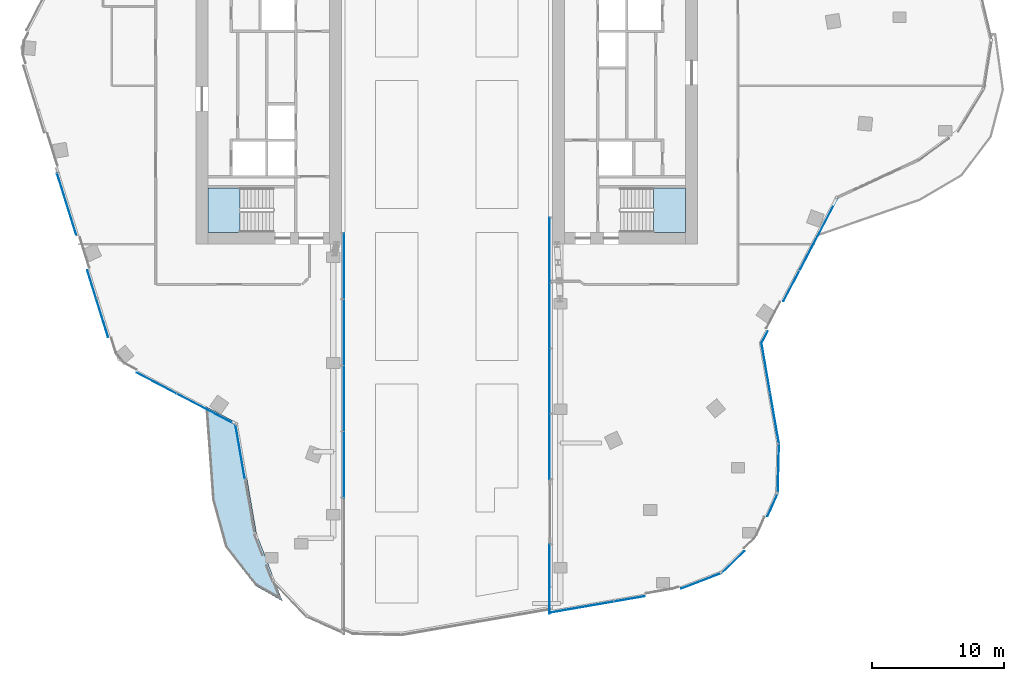
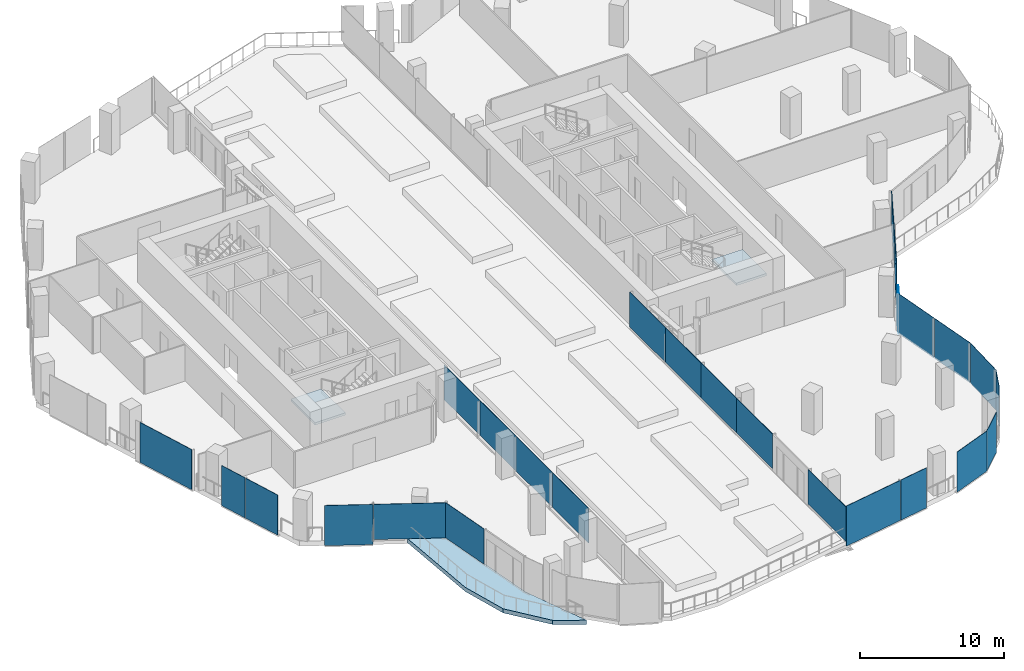
# One storey, part 13 of 26: 26 plates, 3 slabs, 14 elements without a shape of their own.
"""IFC4 building model written with IfcOpenShell, lengths in metres."""

from ifc_helpers import new_model, si_unit, direction, frame, origin, origin_2d, place, context, subcontext, project, spatial, polyline, rectangle, outline, extrude, material, layer, layer_set, type_object, element, aggregate, save


model = new_model("IFC4")

# Units and contexts
model_context = context("Model", 3, precision=1e-05, world=origin(), true_north=direction((0.0, 1.0)))
body_context = subcontext(model_context, "Body", "Model", "MODEL_VIEW")
ifc_project = project(units=[si_unit("LENGTHUNIT", "METRE"), si_unit("AREAUNIT", "SQUARE_METRE"), si_unit("VOLUMEUNIT", "CUBIC_METRE"), si_unit("PLANEANGLEUNIT", "RADIAN"), si_unit("MASSUNIT", "GRAM", prefix="KILO")], contexts=[model_context])

# Site, building, storey
site_placement = place(None, origin())
site = spatial("IfcSite", under=ifc_project, at=site_placement, CompositionType="ELEMENT")
building_placement = place(site_placement, origin())
building = spatial("IfcBuilding", under=site, at=building_placement, Name="Orlundy Tower", CompositionType="ELEMENT")
storey_placement = place(building_placement, frame((0.0, 0.0, 253.5)))
storey = spatial("IfcBuildingStorey", under=building, at=storey_placement, Name="L67", CompositionType="ELEMENT", Elevation=253.5)

# Curtain wall, plates
ifc_material_1 = material(Name="Aluminium bronze anodised", Category="aluminium")
curtain_wall_type = type_object("IfcCurtainWallType", Name="CW1 wall", PredefinedType="NOTDEFINED", material=ifc_material_1)
curtain_wall_1_placement = place(storey_placement, origin())
curtain_wall_1 = element("IfcCurtainWall", 1, at=curtain_wall_1_placement, inside=storey, type_object=curtain_wall_type, Name="CW1 run 00", PredefinedType="NOTDEFINED")
ifc_material_2 = material(Name="Tinted glass", Category="glass")
ifc_layer_1 = layer(ifc_material_2, 0.031982421875)
ifc_layer_set_1 = layer_set([ifc_layer_1], Name="CW1 glass panel 32")
plate_type_1 = type_object("IfcPlateType", Name="CW1 glass panel 32", PredefinedType="CURTAIN_PANEL", material=ifc_layer_set_1)
plate_1_placement = place(storey_placement, frame((-18.236328125, -24.4970703125, 0.1201171875), z_axis=(0.0, 0.0, 1.0), x_axis=(-0.885665125804, 0.464324546988, 0.0)))
plate_1 = element("IfcPlate", 2, at=plate_1_placement, type_object=plate_type_1, Name="CW1 panel", PredefinedType="CURTAIN_PANEL", context=body_context, shape_type="SweptSolid", body=[
    extrude(rectangle(XDim=5.01220703125, YDim=0.031982421875, at=origin_2d()), origin(), (0.0, 0.0, 1.0), 2.97998046875),
])
plate_2_placement = place(storey_placement, frame((-21.996337890625, -22.52587890625, -0.300048828125), z_axis=(0.0, 0.0, 1.0), x_axis=(-0.885665125804, 0.464324546988, 0.0)))
plate_2 = element("IfcPlate", 3, at=plate_2_placement, type_object=plate_type_1, Name="CW1 panel", PredefinedType="CURTAIN_PANEL", context=body_context, shape_type="SweptSolid", body=[
    extrude(rectangle(XDim=3.37841796875, YDim=0.031982421875, at=origin_2d()), origin(), (0.0, 0.0, 1.0), 3.39990234375),
])
aggregate(curtain_wall_1, [plate_1, plate_2])

curtain_wall_2_placement = place(storey_placement, origin())
curtain_wall_2 = element("IfcCurtainWall", 4, at=curtain_wall_2_placement, inside=storey, type_object=curtain_wall_type, Name="CW1 run 01", PredefinedType="NOTDEFINED")
plate_3_placement = place(storey_placement, frame((-26.11279296875, -17.5771484375, -0.300048828125), z_axis=(0.0, 0.0, 1.0), x_axis=(-0.297954226643, 0.954580158408, 0.0)))
plate_3 = element("IfcPlate", 5, at=plate_3_placement, type_object=plate_type_1, Name="CW1 panel", PredefinedType="CURTAIN_PANEL", context=body_context, shape_type="SweptSolid", body=[
    extrude(rectangle(XDim=3.036376953125, YDim=0.031982421875, at=origin_2d()), origin(), (0.0, 0.0, 1.0), 3.39990234375),
])
plate_4_placement = place(storey_placement, frame((-26.90771484375, -15.030029296875, -0.300048828125), z_axis=(0.0, 0.0, 1.0), x_axis=(-0.297954226643, 0.954580158408, 0.0)))
plate_4 = element("IfcPlate", 6, at=plate_4_placement, type_object=plate_type_1, Name="CW1 panel", PredefinedType="CURTAIN_PANEL", context=body_context, shape_type="SweptSolid", body=[
    extrude(rectangle(XDim=2.200439453125, YDim=0.031982421875, at=origin_2d()), origin(), (0.0, 0.0, 1.0), 3.39990234375),
])
plate_5_placement = place(storey_placement, frame((-28.801513671875, -8.96337890625, -0.300048828125), z_axis=(0.0, 0.0, 1.0), x_axis=(-0.297954226643, 0.954580158408, 0.0)))
plate_5 = element("IfcPlate", 7, at=plate_5_placement, type_object=plate_type_1, Name="CW1 panel", PredefinedType="CURTAIN_PANEL", context=body_context, shape_type="SweptSolid", body=[
    extrude(rectangle(XDim=4.87109375, YDim=0.031982421875, at=origin_2d()), origin(), (0.0, 0.0, 1.0), 3.39990234375),
])
aggregate(curtain_wall_2, [plate_3, plate_4, plate_5])

# Curtain wall, plate
curtain_wall_3_placement = place(storey_placement, origin())
curtain_wall_3 = element("IfcCurtainWall", 8, at=curtain_wall_3_placement, inside=storey, type_object=curtain_wall_type, Name="CW1 run 08", PredefinedType="NOTDEFINED")
plate_6_placement = place(storey_placement, frame((-15.66162109375, -27.710205078125, 0.1201171875), z_axis=(0.0, 0.0, 1.0), x_axis=(-0.170762449807, 0.985312227538, 0.0)))
plate_6 = element("IfcPlate", 9, at=plate_6_placement, type_object=plate_type_1, Name="CW1 panel", PredefinedType="CURTAIN_PANEL", context=body_context, shape_type="SweptSolid", body=[
    extrude(rectangle(XDim=4.160400390625, YDim=0.031982421875, at=origin_2d()), origin(), (0.0, 0.0, 1.0), 2.97998046875),
])
aggregate(curtain_wall_3, [plate_6])

# Curtain wall, plates
curtain_wall_4_placement = place(storey_placement, origin())
curtain_wall_4 = element("IfcCurtainWall", 10, at=curtain_wall_4_placement, inside=storey, type_object=curtain_wall_type, Name="CW1 run 111", PredefinedType="NOTDEFINED")
plate_7_placement = place(storey_placement, frame((28.15771484375, -11.25439453125, 0.1201171875), z_axis=(0.0, 0.0, 1.0), x_axis=(-0.464333145939, -0.885660617608, 0.0)))
plate_7 = element("IfcPlate", 11, at=plate_7_placement, type_object=plate_type_1, Name="CW1 panel", PredefinedType="CURTAIN_PANEL", context=body_context, shape_type="SweptSolid", body=[
    extrude(rectangle(XDim=6.16259765625, YDim=0.031982421875, at=origin_2d()), origin(), (0.0, 0.0, 1.0), 2.97998046875),
])
plate_8_placement = place(storey_placement, frame((26.101806640625, -15.17578125, -0.300048828125), z_axis=(0.0, 0.0, 1.0), x_axis=(-0.464333145939, -0.885660617608, 0.0)))
plate_8 = element("IfcPlate", 12, at=plate_8_placement, type_object=plate_type_1, Name="CW1 panel", PredefinedType="CURTAIN_PANEL", context=body_context, shape_type="SweptSolid", body=[
    extrude(rectangle(XDim=2.592529296875, YDim=0.031982421875, at=origin_2d()), origin(), (0.0, 0.0, 1.0), 3.39990234375),
])
plate_9_placement = place(storey_placement, frame((24.076416015625, -19.038818359375, -0.300048828125), z_axis=(0.0, 0.0, 1.0), x_axis=(-0.464333145939, -0.885660617608, 0.0)))
plate_9 = element("IfcPlate", 13, at=plate_9_placement, type_object=plate_type_1, Name="CW1 panel", PredefinedType="CURTAIN_PANEL", context=body_context, shape_type="SweptSolid", body=[
    extrude(rectangle(XDim=1.009521484375, YDim=0.031982421875, at=origin_2d()), origin(), (0.0, 0.0, 1.0), 3.39990234375),
])
aggregate(curtain_wall_4, [plate_7, plate_8, plate_9])

curtain_wall_5_placement = place(storey_placement, origin())
curtain_wall_5 = element("IfcCurtainWall", 14, at=curtain_wall_5_placement, inside=storey, type_object=curtain_wall_type, Name="CW1 run 112", PredefinedType="NOTDEFINED")
plate_10_placement = place(storey_placement, frame((24.16748046875, -21.363525390625, -0.300048828125), z_axis=(0.0, 0.0, 1.0), x_axis=(0.170728522047, -0.985318106887, 0.0)))
plate_10 = element("IfcPlate", 15, at=plate_10_placement, type_object=plate_type_1, Name="CW1 panel", PredefinedType="CURTAIN_PANEL", context=body_context, shape_type="SweptSolid", body=[
    extrude(rectangle(XDim=3.8115234375, YDim=0.031982421875, at=origin_2d()), origin(), (0.0, 0.0, 1.0), 3.39990234375),
])
plate_11_placement = place(storey_placement, frame((24.830810546875, -25.19140625, -0.300048828125), z_axis=(0.0, 0.0, 1.0), x_axis=(0.170728522047, -0.985318106887, 0.0)))
plate_11 = element("IfcPlate", 16, at=plate_11_placement, type_object=plate_type_1, Name="CW1 panel", PredefinedType="CURTAIN_PANEL", context=body_context, shape_type="SweptSolid", body=[
    extrude(rectangle(XDim=3.858154296875, YDim=0.031982421875, at=origin_2d()), origin(), (0.0, 0.0, 1.0), 3.39990234375),
])
aggregate(curtain_wall_5, [plate_10, plate_11])

# Curtain wall, plate
curtain_wall_6_placement = place(storey_placement, origin())
curtain_wall_6 = element("IfcCurtainWall", 17, at=curtain_wall_6_placement, inside=storey, type_object=curtain_wall_type, Name="CW1 run 113", PredefinedType="NOTDEFINED")
plate_12_placement = place(storey_placement, frame((25.117919921875, -29.00634765625, -0.300048828125), z_axis=(0.0, 0.0, 1.0), x_axis=(-0.024553998372, -0.999698505132, 0.0)))
plate_12 = element("IfcPlate", 18, at=plate_12_placement, type_object=plate_type_1, Name="CW1 panel", PredefinedType="CURTAIN_PANEL", context=body_context, shape_type="SweptSolid", body=[
    extrude(rectangle(XDim=3.729736328125, YDim=0.031982421875, at=origin_2d()), origin(), (0.0, 0.0, 1.0), 3.39990234375),
])
aggregate(curtain_wall_6, [plate_12])

curtain_wall_7_placement = place(storey_placement, origin())
curtain_wall_7 = element("IfcCurtainWall", 19, at=curtain_wall_7_placement, inside=storey, type_object=curtain_wall_type, Name="CW1 run 114", PredefinedType="NOTDEFINED")
plate_13_placement = place(storey_placement, frame((24.685302734375, -31.742919921875, -0.300048828125), z_axis=(0.0, 0.0, 1.0), x_axis=(-0.405412554633, -0.914133830763, 0.0)))
plate_13 = element("IfcPlate", 20, at=plate_13_placement, type_object=plate_type_1, Name="CW1 panel", PredefinedType="CURTAIN_PANEL", context=body_context, shape_type="SweptSolid", body=[
    extrude(rectangle(XDim=1.908203125, YDim=0.031982421875, at=origin_2d()), origin(), (0.0, 0.0, 1.0), 3.39990234375),
])
aggregate(curtain_wall_7, [plate_13])

curtain_wall_8_placement = place(storey_placement, origin())
curtain_wall_8 = element("IfcCurtainWall", 21, at=curtain_wall_8_placement, inside=storey, type_object=curtain_wall_type, Name="CW1 run 115", PredefinedType="NOTDEFINED")
plate_14_placement = place(storey_placement, frame((21.6826171875, -36.08935546875, -0.300048828125), z_axis=(0.0, 0.0, 1.0), x_axis=(-0.7244266007, -0.689351942188, 0.0)))
plate_14 = element("IfcPlate", 22, at=plate_14_placement, type_object=plate_type_1, Name="CW1 panel", PredefinedType="CURTAIN_PANEL", context=body_context, shape_type="SweptSolid", body=[
    extrude(rectangle(XDim=2.40771484375, YDim=0.031982421875, at=origin_2d()), origin(), (0.0, 0.0, 1.0), 3.39990234375),
])
aggregate(curtain_wall_8, [plate_14])

curtain_wall_9_placement = place(storey_placement, origin())
curtain_wall_9 = element("IfcCurtainWall", 23, at=curtain_wall_9_placement, inside=storey, type_object=curtain_wall_type, Name="CW1 run 116", PredefinedType="NOTDEFINED")
plate_15_placement = place(storey_placement, frame((19.2861328125, -37.507080078125, -0.300048828125), z_axis=(0.0, 0.0, 1.0), x_axis=(-0.933018476944, -0.359828461467, 0.0)))
plate_15 = element("IfcPlate", 24, at=plate_15_placement, type_object=plate_type_1, Name="CW1 panel", PredefinedType="CURTAIN_PANEL", context=body_context, shape_type="SweptSolid", body=[
    extrude(rectangle(XDim=3.267333984375, YDim=0.031982421875, at=origin_2d()), origin(), (0.0, 0.0, 1.0), 3.39990234375),
])
aggregate(curtain_wall_9, [plate_15])

# Curtain wall, plates
curtain_wall_10_placement = place(storey_placement, origin())
curtain_wall_10 = element("IfcCurtainWall", 25, at=curtain_wall_10_placement, inside=storey, type_object=curtain_wall_type, Name="CW1 run 117", PredefinedType="NOTDEFINED")
plate_16_placement = place(storey_placement, frame((13.832763671875, -38.87255859375, -0.300048828125), z_axis=(0.0, 0.0, 1.0), x_axis=(-0.985315418883, -0.170744034483, 0.0)))
plate_16 = element("IfcPlate", 26, at=plate_16_placement, type_object=plate_type_1, Name="CW1 panel", PredefinedType="CURTAIN_PANEL", context=body_context, shape_type="SweptSolid", body=[
    extrude(rectangle(XDim=2.332763671875, YDim=0.031982421875, at=origin_2d()), origin(), (0.0, 0.0, 1.0), 3.39990234375),
])
plate_17_placement = place(storey_placement, frame((10.235107421875, -39.49609375, -0.300048828125), z_axis=(0.0, 0.0, 1.0), x_axis=(-0.985315418883, -0.170744034483, 0.0)))
plate_17 = element("IfcPlate", 27, at=plate_17_placement, type_object=plate_type_1, Name="CW1 panel", PredefinedType="CURTAIN_PANEL", context=body_context, shape_type="SweptSolid", body=[
    extrude(rectangle(XDim=4.869873046875, YDim=0.031982421875, at=origin_2d()), origin(), (0.0, 0.0, 1.0), 3.39990234375),
])
aggregate(curtain_wall_10, [plate_16, plate_17])

curtain_wall_11_placement = place(storey_placement, origin())
curtain_wall_11 = element("IfcCurtainWall", 28, at=curtain_wall_11_placement, inside=storey, type_object=curtain_wall_type, Name="CW1 run 04", PredefinedType="NOTDEFINED")
ifc_material_3 = material(Name="Tinted glass", Category="glass")
ifc_layer_2 = layer(ifc_material_3, 0.035888671875)
ifc_layer_set_2 = layer_set([ifc_layer_2], Name="CW6 glass panel 36")
plate_type_2 = type_object("IfcPlateType", Name="CW6 glass panel 36", PredefinedType="CURTAIN_PANEL", material=ifc_layer_set_2)
plate_18_placement = place(storey_placement, frame((-7.778076171875, -13.662841796875, 0.159912109375), z_axis=(0.0, 0.0, 1.0), x_axis=(0.0, -1.0, 0.0)))
plate_18 = element("IfcPlate", 29, at=plate_18_placement, type_object=plate_type_2, Name="CW6 panel", PredefinedType="CURTAIN_PANEL", context=body_context, shape_type="SweptSolid", body=[
    extrude(rectangle(XDim=5.010986328125, YDim=0.035888671875, at=origin_2d()), origin(), (0.0, 0.0, 1.0), 2.93994140625),
])
plate_19_placement = place(storey_placement, frame((-7.778076171875, -18.673828125, 0.159912109375), z_axis=(0.0, 0.0, 1.0), x_axis=(0.0, -1.0, 0.0)))
plate_19 = element("IfcPlate", 30, at=plate_19_placement, type_object=plate_type_2, Name="CW6 panel", PredefinedType="CURTAIN_PANEL", context=body_context, shape_type="SweptSolid", body=[
    extrude(rectangle(XDim=5.010986328125, YDim=0.035888671875, at=origin_2d()), origin(), (0.0, 0.0, 1.0), 2.93994140625),
])
plate_20_placement = place(storey_placement, frame((-7.778076171875, -23.684814453125, 0.159912109375), z_axis=(0.0, 0.0, 1.0), x_axis=(0.0, -1.0, 0.0)))
plate_20 = element("IfcPlate", 31, at=plate_20_placement, type_object=plate_type_2, Name="CW6 panel", PredefinedType="CURTAIN_PANEL", context=body_context, shape_type="SweptSolid", body=[
    extrude(rectangle(XDim=5.010986328125, YDim=0.035888671875, at=origin_2d()), origin(), (0.0, 0.0, 1.0), 2.93994140625),
])
plate_21_placement = place(storey_placement, frame((-7.778076171875, -28.695556640625, 0.159912109375), z_axis=(0.0, 0.0, 1.0), x_axis=(0.0, -1.0, 0.0)))
plate_21 = element("IfcPlate", 32, at=plate_21_placement, type_object=plate_type_2, Name="CW6 panel", PredefinedType="CURTAIN_PANEL", context=body_context, shape_type="SweptSolid", body=[
    extrude(rectangle(XDim=5.010986328125, YDim=0.035888671875, at=origin_2d()), origin(), (0.0, 0.0, 1.0), 2.93994140625),
])
aggregate(curtain_wall_11, [plate_18, plate_19, plate_20, plate_21])

curtain_wall_12_placement = place(storey_placement, origin())
curtain_wall_12 = element("IfcCurtainWall", 33, at=curtain_wall_12_placement, inside=storey, type_object=curtain_wall_type, Name="CW1 run 118", PredefinedType="NOTDEFINED")
plate_22_placement = place(storey_placement, frame((7.778076171875, -37.370361328125, 0.159912109375), z_axis=(0.0, 0.0, 1.0), x_axis=(0.0, 1.0, 0.0)))
plate_22 = element("IfcPlate", 34, at=plate_22_placement, type_object=plate_type_2, Name="CW6 panel", PredefinedType="CURTAIN_PANEL", context=body_context, shape_type="SweptSolid", body=[
    extrude(rectangle(XDim=5.220703125, YDim=0.035888671875, at=origin_2d()), origin(), (0.0, 0.0, 1.0), 2.93994140625),
])
plate_23_placement = place(storey_placement, frame((7.778076171875, -27.324951171875, 0.159912109375), z_axis=(0.0, 0.0, 1.0), x_axis=(0.0, 1.0, 0.0)))
plate_23 = element("IfcPlate", 35, at=plate_23_placement, type_object=plate_type_2, Name="CW6 panel", PredefinedType="CURTAIN_PANEL", context=body_context, shape_type="SweptSolid", body=[
    extrude(rectangle(XDim=4.956787109375, YDim=0.035888671875, at=origin_2d()), origin(), (0.0, 0.0, 1.0), 2.93994140625),
])
plate_24_placement = place(storey_placement, frame((7.778076171875, -22.367919921875, 0.159912109375), z_axis=(0.0, 0.0, 1.0), x_axis=(0.0, 1.0, 0.0)))
plate_24 = element("IfcPlate", 36, at=plate_24_placement, type_object=plate_type_2, Name="CW6 panel", PredefinedType="CURTAIN_PANEL", context=body_context, shape_type="SweptSolid", body=[
    extrude(rectangle(XDim=4.956787109375, YDim=0.035888671875, at=origin_2d()), origin(), (0.0, 0.0, 1.0), 2.93994140625),
])
plate_25_placement = place(storey_placement, frame((7.778076171875, -17.4111328125, 0.159912109375), z_axis=(0.0, 0.0, 1.0), x_axis=(0.0, 1.0, 0.0)))
plate_25 = element("IfcPlate", 37, at=plate_25_placement, type_object=plate_type_2, Name="CW6 panel", PredefinedType="CURTAIN_PANEL", context=body_context, shape_type="SweptSolid", body=[
    extrude(rectangle(XDim=4.956787109375, YDim=0.035888671875, at=origin_2d()), origin(), (0.0, 0.0, 1.0), 2.93994140625),
])
plate_26_placement = place(storey_placement, frame((7.778076171875, -12.454345703125, 0.159912109375), z_axis=(0.0, 0.0, 1.0), x_axis=(0.0, 1.0, 0.0)))
plate_26 = element("IfcPlate", 38, at=plate_26_placement, type_object=plate_type_2, Name="CW6 panel", PredefinedType="CURTAIN_PANEL", context=body_context, shape_type="SweptSolid", body=[
    extrude(rectangle(XDim=4.956787109375, YDim=0.035888671875, at=origin_2d()), origin(), (0.0, 0.0, 1.0), 2.93994140625),
])
aggregate(curtain_wall_12, [plate_22, plate_23, plate_24, plate_25, plate_26])

# Stair, slab
ifc_material_4 = material(Name="Concrete C50/60", Category="concrete")
stair_type = type_object("IfcStairType", Name="Exit Stair 20 risers", PredefinedType="HALF_TURN_STAIR", material=ifc_material_4)
stair_1_placement = place(storey_placement, origin())
stair_1 = element("IfcStair", 39, at=stair_1_placement, inside=storey, type_object=stair_type, Name="L67 Exit Stair ST-W2", PredefinedType="HALF_TURN_STAIR")
ifc_material_5 = material(Name="Concrete C50/60", Category="concrete")
ifc_layer_3 = layer(ifc_material_5, 0.199951171875)
ifc_layer_set_3 = layer_set([ifc_layer_3], Name="Exit Stair Landing")
slab_type_1 = type_object("IfcSlabType", Name="Exit Stair Landing", PredefinedType="LANDING", material=ifc_layer_set_3)
slab_1_placement = place(storey_placement, frame((0.0, 0.0, 1.550048828125)))
slab_1 = element("IfcSlab", 40, at=slab_1_placement, type_object=slab_type_1, Name="ST-W2 landing 1", PredefinedType="LANDING", context=body_context, shape_type="SweptSolid", body=[
    extrude(outline(polyline([(-15.659912109375, -7.75), (-18.10009765625, -7.75), (-18.10009765625, -11.10009765625), (-15.659912109375, -11.10009765625), (-15.659912109375, -7.75)])), origin(), (0.0, 0.0, 1.0), 0.199951171875),
])
aggregate(stair_1, [slab_1])

stair_2_placement = place(storey_placement, origin())
stair_2 = element("IfcStair", 41, at=stair_2_placement, inside=storey, type_object=stair_type, Name="L67 Exit Stair ST-E1", PredefinedType="HALF_TURN_STAIR")
slab_2_placement = place(storey_placement, frame((0.0, 0.0, 1.550048828125)))
slab_2 = element("IfcSlab", 42, at=slab_2_placement, type_object=slab_type_1, Name="ST-E1 landing 1", PredefinedType="LANDING", context=body_context, shape_type="SweptSolid", body=[
    extrude(outline(polyline([(15.659912109375, -11.10009765625), (18.10009765625, -11.10009765625), (18.10009765625, -7.75), (15.659912109375, -7.75), (15.659912109375, -11.10009765625)])), origin(), (0.0, 0.0, 1.0), 0.199951171875),
])
aggregate(stair_2, [slab_2])

# Slab
ifc_material_6 = material(Name="Concrete C45/55", Category="concrete")
ifc_layer_4 = layer(ifc_material_6, 0.35009765625)
ifc_layer_set_4 = layer_set([ifc_layer_4], Name="TERRACE SLAB 350 C45/55")
slab_type_2 = type_object("IfcSlabType", Name="TERRACE SLAB 350 C45/55", PredefinedType="ROOF", material=ifc_layer_set_4)
slab_3_placement = place(storey_placement, frame((0.0, 0.0, -0.35009765625)))
element("IfcSlab", 43, at=slab_3_placement, inside=storey, type_object=slab_type_2, Name="Terrace slab L67-2", PredefinedType="ROOF", context=body_context, shape_type="SweptSolid", body=[
    extrude(outline(polyline([(-12.455078125, -39.0380859375), (-14.50390625, -37.8701171875), (-16.781982421875, -34.947021484375), (-17.76708984375, -31.3740234375), (-18.283935546875, -24.284912109375), (-15.868896484375, -25.553955078125), (-14.412109375, -33.9599609375), (-12.455078125, -39.0380859375)])), origin(), (0.0, 0.0, 1.0), 0.35009765625),
])

save(model, "model.ifc")
